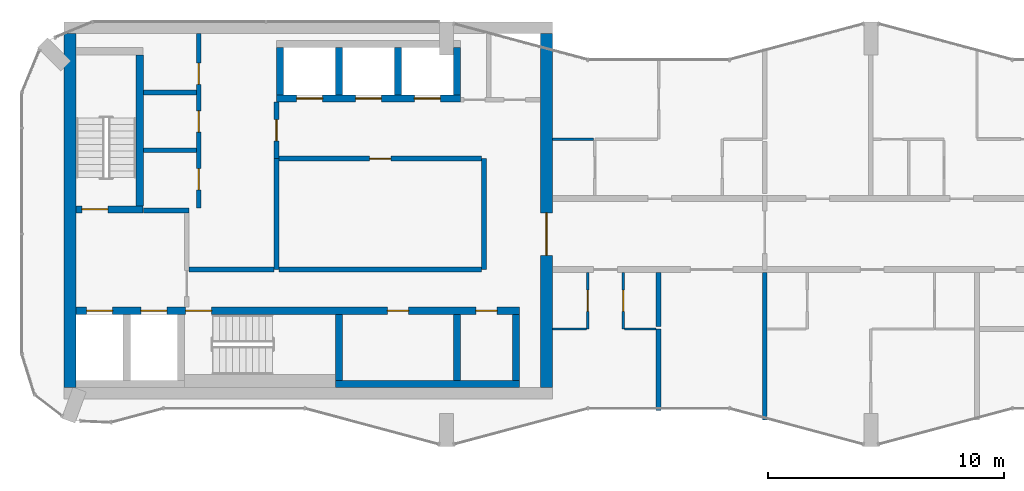
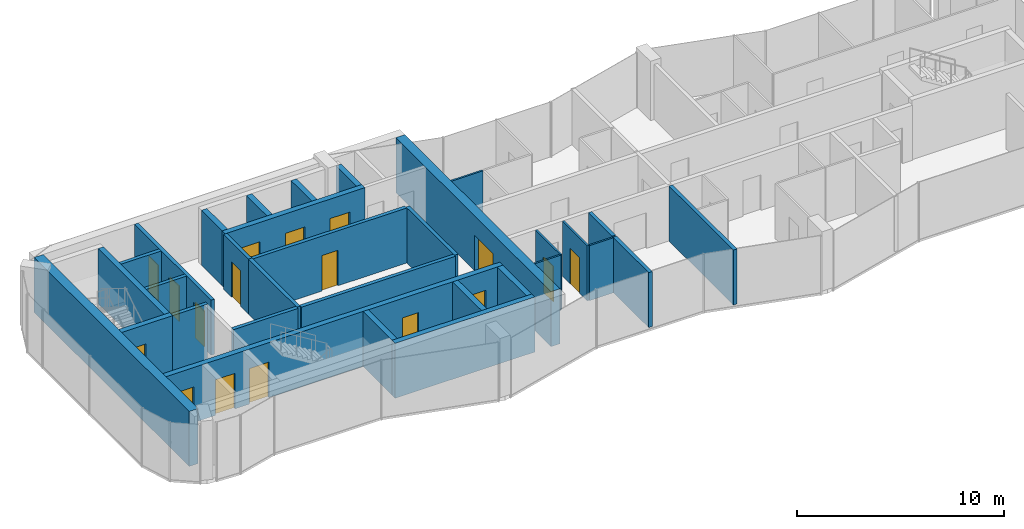
# One storey, part 7 of 10: 32 walls, 17 doors, 17 openings.
"""IFC4 building model written with IfcOpenShell, lengths in metres."""

from ifc_helpers import new_model, si_unit, direction, frame, frame_2d, origin, place, context, subcontext, project, spatial, rectangle, extrude, material, layer, layer_set, type_object, element, fill, save


model = new_model("IFC4")

# Units and contexts
model_context = context("Model", 3, precision=1e-05, world=origin(), true_north=direction((0.0, 1.0)))
body_context = subcontext(model_context, "Body", "Model", "MODEL_VIEW")
ifc_project = project(units=[si_unit("LENGTHUNIT", "METRE"), si_unit("AREAUNIT", "SQUARE_METRE"), si_unit("VOLUMEUNIT", "CUBIC_METRE"), si_unit("PLANEANGLEUNIT", "RADIAN"), si_unit("MASSUNIT", "GRAM", prefix="KILO")], contexts=[model_context])

# Site, building, storey
site_placement = place(None, origin())
site = spatial("IfcSite", under=ifc_project, at=site_placement, CompositionType="ELEMENT")
building_placement = place(site_placement, origin())
building = spatial("IfcBuilding", under=site, at=building_placement, Name="Plateau Cross Towers", CompositionType="ELEMENT")
storey_placement = place(building_placement, frame((0.0, 0.0, 245.89990234375)))
storey = spatial("IfcBuildingStorey", under=building, at=storey_placement, Name="L64", CompositionType="ELEMENT", Elevation=245.89990234375)

# Walls
ifc_material_1 = material(Name="Concrete block, plastered both sides", Category="concrete")
ifc_layer_1 = layer(ifc_material_1, 0.199951171875)
ifc_layer_set_1 = layer_set([ifc_layer_1], Name="Concrete block, plastered both sides")
wall_type_1 = type_object("IfcWallType", Name="Core partition 200", PredefinedType="PARTITIONING", material=ifc_layer_set_1)
wall_1_placement = place(storey_placement, frame((5.14990234375, 10.0, 0.0), z_axis=(0.0, 0.0, 1.0), x_axis=(1.0, 0.0, 0.0)))
element("IfcWall", 1, at=wall_1_placement, inside=storey, type_object=wall_type_1, Name="Core partition", PredefinedType="PARTITIONING", context=body_context, shape_type="SweptSolid", body=[
    extrude(rectangle(XDim=1.9501953125, YDim=0.199951171875, at=frame_2d((0.97509765625, 0.0))), origin(), (0.0, 0.0, 1.0), 3.25),
])
wall_2_placement = place(storey_placement, frame((7.10009765625, 7.5, 0.0), z_axis=(0.0, 0.0, 1.0), x_axis=(1.0, 0.0, 0.0)))
element("IfcWall", 2, at=wall_2_placement, inside=storey, type_object=wall_type_1, Name="Core partition", PredefinedType="PARTITIONING", context=body_context, shape_type="SweptSolid", body=[
    extrude(rectangle(XDim=3.599853515625, YDim=0.199951171875, at=frame_2d((1.7998046875, 0.0))), origin(), (0.0, 0.0, 1.0), 3.25),
])

# Wall, opening, door
wall_3_placement = place(storey_placement, frame((10.800048828125, 12.199951171875, 0.0), z_axis=(0.0, 0.0, 1.0), x_axis=(0.0, 1.0, 0.0)))
wall_3 = element("IfcWall", 3, at=wall_3_placement, inside=storey, type_object=wall_type_1, Name="Core partition", PredefinedType="PARTITIONING", context=body_context, shape_type="SweptSolid", body=[
    extrude(rectangle(XDim=2.400146484375, YDim=0.199951171875, at=frame_2d((1.2001953125, 0.0))), origin(), (0.0, 0.0, 1.0), 3.25),
])
opening_1_placement = place(wall_3_placement, frame((0.75, 0.0, 0.0)))
opening_1 = element("IfcOpeningElement", 4, at=opening_1_placement, cuts=wall_3, Name="Opening RD1", PredefinedType="OPENING", context=body_context, shape_type="SweptSolid", body=[
    extrude(rectangle(XDim=0.89990234375, YDim=2.10009765625, at=frame_2d((0.449951171875, 1.050048828125))), frame((0.0, 0.10986328125, 0.0), z_axis=(0.0, -1.0, 0.0), x_axis=(1.0, 0.0, 0.0)), (0.0, 0.0, 1.0), 0.219970703125),
])
ifc_material_2 = material(Name="Timber, fire-resisting leaf", Category="wood")
door_type_1 = type_object("IfcDoorType", Name="Core service door 900", OperationType="NOTDEFINED", PredefinedType="DOOR", material=ifc_material_2)
door_1_placement = place(opening_1_placement, origin())
door_1 = element("IfcDoor", 5, at=door_1_placement, inside=storey, type_object=door_type_1, Name="Core service door RD1", OperationType="SINGLE_SWING_LEFT", OverallHeight=2.10009765625, OverallWidth=0.89990234375, PredefinedType="DOOR", context=body_context, shape_type="SweptSolid", body=[
    extrude(rectangle(XDim=0.89990234375, YDim=2.10009765625, at=frame_2d((0.449951171875, 1.050048828125))), frame((0.0, 0.02490234375, 0.0), z_axis=(0.0, -1.0, 0.0), x_axis=(1.0, 0.0, 0.0)), (0.0, 0.0, 1.0), 0.050048828125),
])
fill(opening_1, door_1)

# Walls
wall_4_placement = place(storey_placement, frame((10.800048828125, 7.5, 0.0), z_axis=(0.0, 0.0, 1.0), x_axis=(0.0, 1.0, 0.0)))
element("IfcWall", 6, at=wall_4_placement, inside=storey, type_object=wall_type_1, Name="Core partition", PredefinedType="PARTITIONING", context=body_context, shape_type="SweptSolid", body=[
    extrude(rectangle(XDim=4.699951171875, YDim=0.199951171875, at=frame_2d((2.35009765625, 0.0))), origin(), (0.0, 0.0, 1.0), 3.25),
])
wall_5_placement = place(storey_placement, frame((10.89990234375, 7.5, 0.0), z_axis=(0.0, 0.0, 1.0), x_axis=(1.0, 0.0, 0.0)))
element("IfcWall", 7, at=wall_5_placement, inside=storey, type_object=wall_type_1, Name="Core partition", PredefinedType="PARTITIONING", context=body_context, shape_type="SweptSolid", body=[
    extrude(rectangle(XDim=8.60009765625, YDim=0.199951171875, at=frame_2d((4.300048828125, 0.0))), origin(), (0.0, 0.0, 1.0), 3.25),
])
wall_6_placement = place(storey_placement, frame((19.60009765625, 7.5, 0.0), z_axis=(0.0, 0.0, 1.0), x_axis=(0.0, 1.0, 0.0)))
element("IfcWall", 8, at=wall_6_placement, inside=storey, type_object=wall_type_1, Name="Core partition", PredefinedType="PARTITIONING", context=body_context, shape_type="SweptSolid", body=[
    extrude(rectangle(XDim=4.699951171875, YDim=0.199951171875, at=frame_2d((2.35009765625, 0.0))), origin(), (0.0, 0.0, 1.0), 3.25),
])

# Wall, opening, door
wall_7_placement = place(storey_placement, frame((10.89990234375, 12.199951171875, 0.0), z_axis=(0.0, 0.0, 1.0), x_axis=(1.0, 0.0, 0.0)))
wall_7 = element("IfcWall", 9, at=wall_7_placement, inside=storey, type_object=wall_type_1, Name="Core partition", PredefinedType="PARTITIONING", context=body_context, shape_type="SweptSolid", body=[
    extrude(rectangle(XDim=8.60009765625, YDim=0.199951171875, at=frame_2d((4.300048828125, 0.0))), origin(), (0.0, 0.0, 1.0), 3.25),
])
opening_2_placement = place(wall_7_placement, frame((3.85009765625, 0.0, 0.0)))
opening_2 = element("IfcOpeningElement", 10, at=opening_2_placement, cuts=wall_7, Name="Opening RD1", PredefinedType="OPENING", context=body_context, shape_type="SweptSolid", body=[
    extrude(rectangle(XDim=0.89990234375, YDim=2.10009765625, at=frame_2d((0.449951171875, 1.050048828125))), frame((0.0, 0.10986328125, 0.0), z_axis=(0.0, -1.0, 0.0), x_axis=(1.0, 0.0, 0.0)), (0.0, 0.0, 1.0), 0.219970703125),
])
door_2_placement = place(opening_2_placement, origin())
door_2 = element("IfcDoor", 11, at=door_2_placement, inside=storey, type_object=door_type_1, Name="Core service door RD1", OperationType="SINGLE_SWING_LEFT", OverallHeight=2.10009765625, OverallWidth=0.89990234375, PredefinedType="DOOR", context=body_context, shape_type="SweptSolid", body=[
    extrude(rectangle(XDim=0.89990234375, YDim=2.10009765625, at=frame_2d((0.449951171875, 1.050048828125))), frame((0.0, 0.02490234375, 0.0), z_axis=(0.0, -1.0, 0.0), x_axis=(1.0, 0.0, 0.0)), (0.0, 0.0, 1.0), 0.050048828125),
])
fill(opening_2, door_2)

# Wall, openings, doors
wall_8_placement = place(storey_placement, frame((7.5, 10.10009765625, 0.0), z_axis=(0.0, 0.0, 1.0), x_axis=(0.0, 1.0, 0.0)))
wall_8 = element("IfcWall", 12, at=wall_8_placement, inside=storey, type_object=wall_type_1, Name="Core partition", PredefinedType="PARTITIONING", context=body_context, shape_type="SweptSolid", body=[
    extrude(rectangle(XDim=7.39990234375, YDim=0.199951171875, at=frame_2d((3.699951171875, 0.0))), origin(), (0.0, 0.0, 1.0), 3.25),
])
opening_3_placement = place(wall_8_placement, frame((0.77490234375, 0.0, 0.0)))
opening_3 = element("IfcOpeningElement", 13, at=opening_3_placement, cuts=wall_8, Name="Opening RD1", PredefinedType="OPENING", context=body_context, shape_type="SweptSolid", body=[
    extrude(rectangle(XDim=0.89990234375, YDim=2.10009765625, at=frame_2d((0.449951171875, 1.050048828125))), frame((0.0, 0.10986328125, 0.0), z_axis=(0.0, -1.0, 0.0), x_axis=(1.0, 0.0, 0.0)), (0.0, 0.0, 1.0), 0.219970703125),
])
opening_4_placement = place(wall_8_placement, frame((3.22509765625, 0.0, 0.0)))
opening_4 = element("IfcOpeningElement", 14, at=opening_4_placement, cuts=wall_8, Name="Opening RD1", PredefinedType="OPENING", context=body_context, shape_type="SweptSolid", body=[
    extrude(rectangle(XDim=0.89990234375, YDim=2.10009765625, at=frame_2d((0.449951171875, 1.050048828125))), frame((0.0, 0.10986328125, 0.0), z_axis=(0.0, -1.0, 0.0), x_axis=(1.0, 0.0, 0.0)), (0.0, 0.0, 1.0), 0.219970703125),
])
opening_5_placement = place(wall_8_placement, frame((5.25, 0.0, 0.0)))
opening_5 = element("IfcOpeningElement", 15, at=opening_5_placement, cuts=wall_8, Name="Opening RD1", PredefinedType="OPENING", context=body_context, shape_type="SweptSolid", body=[
    extrude(rectangle(XDim=0.89990234375, YDim=2.10009765625, at=frame_2d((0.449951171875, 1.050048828125))), frame((0.0, 0.10986328125, 0.0), z_axis=(0.0, -1.0, 0.0), x_axis=(1.0, 0.0, 0.0)), (0.0, 0.0, 1.0), 0.219970703125),
])
door_3_placement = place(opening_3_placement, origin())
door_3 = element("IfcDoor", 16, at=door_3_placement, inside=storey, type_object=door_type_1, Name="Core service door RD1", OperationType="SINGLE_SWING_RIGHT", OverallHeight=2.10009765625, OverallWidth=0.89990234375, PredefinedType="DOOR", context=body_context, shape_type="SweptSolid", body=[
    extrude(rectangle(XDim=0.89990234375, YDim=2.10009765625, at=frame_2d((0.449951171875, 1.050048828125))), frame((0.0, 0.02490234375, 0.0), z_axis=(0.0, -1.0, 0.0), x_axis=(1.0, 0.0, 0.0)), (0.0, 0.0, 1.0), 0.050048828125),
])
fill(opening_3, door_3)
door_4_placement = place(opening_4_placement, origin())
door_4 = element("IfcDoor", 17, at=door_4_placement, inside=storey, type_object=door_type_1, Name="Core service door RD1", OperationType="SINGLE_SWING_RIGHT", OverallHeight=2.10009765625, OverallWidth=0.89990234375, PredefinedType="DOOR", context=body_context, shape_type="SweptSolid", body=[
    extrude(rectangle(XDim=0.89990234375, YDim=2.10009765625, at=frame_2d((0.449951171875, 1.050048828125))), frame((0.0, 0.02490234375, 0.0), z_axis=(0.0, -1.0, 0.0), x_axis=(1.0, 0.0, 0.0)), (0.0, 0.0, 1.0), 0.050048828125),
])
fill(opening_4, door_4)
door_5_placement = place(opening_5_placement, origin())
door_5 = element("IfcDoor", 18, at=door_5_placement, inside=storey, type_object=door_type_1, Name="Core service door RD1", OperationType="SINGLE_SWING_RIGHT", OverallHeight=2.10009765625, OverallWidth=0.89990234375, PredefinedType="DOOR", context=body_context, shape_type="SweptSolid", body=[
    extrude(rectangle(XDim=0.89990234375, YDim=2.10009765625, at=frame_2d((0.449951171875, 1.050048828125))), frame((0.0, 0.02490234375, 0.0), z_axis=(0.0, -1.0, 0.0), x_axis=(1.0, 0.0, 0.0)), (0.0, 0.0, 1.0), 0.050048828125),
])
fill(opening_5, door_5)

# Walls
for number, where, z_axis, x_axis, name in (
    (19, (5.14990234375, 12.550048828125, 0.0), (0.0, 0.0, 1.0), (1.0, 0.0, 0.0), "Core partition"),
    (20, (5.14990234375, 15.0, 0.0), (0.0, 0.0, 1.0), (1.0, 0.0, 0.0), "Core partition"),
):
    element("IfcWall", number, at=place(storey_placement, frame(where, z_axis=z_axis, x_axis=x_axis)), inside=storey, type_object=wall_type_1, Name=name, PredefinedType="PARTITIONING", context=body_context, shape_type="SweptSolid", body=[
        extrude(rectangle(XDim=2.25, YDim=0.199951171875, at=frame_2d((1.125, 0.0))), origin(), (0.0, 0.0, 1.0), 3.25),
    ])
ifc_material_3 = material(Name="Concrete C60/75", Category="concrete")
ifc_layer_2 = layer(ifc_material_3, 0.300048828125)
ifc_layer_set_2 = layer_set([ifc_layer_2], Name="Concrete C60/75")
wall_type_2 = type_object("IfcWallType", Name="Core shaft wall 300", PredefinedType="SHEAR", material=ifc_layer_set_2)
wall_9_placement = place(storey_placement, frame((13.300048828125, 2.64990234375, 0.0), z_axis=(0.0, 0.0, 1.0), x_axis=(1.0, 0.0, 0.0)))
element("IfcWall", 21, at=wall_9_placement, inside=storey, type_object=wall_type_2, Name="A-sb-back3@L64", PredefinedType="SHEAR", context=body_context, shape_type="SweptSolid", body=[
    extrude(rectangle(XDim=7.800048828125, YDim=0.300048828125, at=frame_2d((3.89990234375, 0.0))), origin(), (0.0, 0.0, 1.0), 3.25),
])
for number, where, z_axis, x_axis, name in (
    (22, (13.449951171875, 2.800048828125, 0.0), (0.0, 0.0, 1.0), (0.0, 1.0, 0.0), "A-sb-v3@L64"),
    (23, (18.449951171875, 2.800048828125, 0.0), (0.0, 0.0, 1.0), (0.0, 1.0, 0.0), "A-sb-v5@L64"),
    (24, (20.949951171875, 2.800048828125, 0.0), (0.0, 0.0, 1.0), (0.0, 1.0, 0.0), "A-sb-v6@L64"),
):
    element("IfcWall", number, at=place(storey_placement, frame(where, z_axis=z_axis, x_axis=x_axis)), inside=storey, type_object=wall_type_2, Name=name, PredefinedType="SHEAR", context=body_context, shape_type="SweptSolid", body=[
        extrude(rectangle(XDim=2.800048828125, YDim=0.300048828125, at=frame_2d((1.39990234375, 0.0))), origin(), (0.0, 0.0, 1.0), 3.25),
    ])

# Wall, openings, doors
wall_10_placement = place(storey_placement, frame((2.300048828125, 5.75, 0.0), z_axis=(0.0, 0.0, 1.0), x_axis=(1.0, 0.0, 0.0)))
wall_10 = element("IfcWall", 25, at=wall_10_placement, inside=storey, type_object=wall_type_2, Name="A-sb-front@L64", PredefinedType="SHEAR", context=body_context, shape_type="SweptSolid", body=[
    extrude(rectangle(XDim=18.800048828125, YDim=0.300048828125, at=frame_2d((9.39990234375, 0.0))), origin(), (0.0, 0.0, 1.0), 3.25),
])
opening_6_placement = place(wall_10_placement, frame((4.64990234375, 0.0, 0.0)))
opening_6 = element("IfcOpeningElement", 26, at=opening_6_placement, cuts=wall_10, Name="Opening SD", PredefinedType="OPENING", context=body_context, shape_type="SweptSolid", body=[
    extrude(rectangle(XDim=1.10009765625, YDim=2.10009765625, at=frame_2d((0.550048828125, 1.050048828125))), frame((0.0, 0.159912109375, 0.0), z_axis=(0.0, -1.0, 0.0), x_axis=(1.0, 0.0, 0.0)), (0.0, 0.0, 1.0), 0.320068359375),
])
opening_7_placement = place(wall_10_placement, frame((0.449951171875, 0.0, 0.0)))
opening_7 = element("IfcOpeningElement", 27, at=opening_7_placement, cuts=wall_10, Name="Opening LD", PredefinedType="OPENING", context=body_context, shape_type="SweptSolid", body=[
    extrude(rectangle(XDim=1.10009765625, YDim=2.10009765625, at=frame_2d((0.550048828125, 1.050048828125))), frame((0.0, 0.159912109375, 0.0), z_axis=(0.0, -1.0, 0.0), x_axis=(1.0, 0.0, 0.0)), (0.0, 0.0, 1.0), 0.320068359375),
])
opening_8_placement = place(wall_10_placement, frame((2.75, 0.0, 0.0)))
opening_8 = element("IfcOpeningElement", 28, at=opening_8_placement, cuts=wall_10, Name="Opening LD", PredefinedType="OPENING", context=body_context, shape_type="SweptSolid", body=[
    extrude(rectangle(XDim=1.10009765625, YDim=2.10009765625, at=frame_2d((0.550048828125, 1.050048828125))), frame((0.0, 0.159912109375, 0.0), z_axis=(0.0, -1.0, 0.0), x_axis=(1.0, 0.0, 0.0)), (0.0, 0.0, 1.0), 0.320068359375),
])
opening_9_placement = place(wall_10_placement, frame((13.199951171875, 0.0, 0.0)))
opening_9 = element("IfcOpeningElement", 29, at=opening_9_placement, cuts=wall_10, Name="Opening RD2", PredefinedType="OPENING", context=body_context, shape_type="SweptSolid", body=[
    extrude(rectangle(XDim=0.89990234375, YDim=2.10009765625, at=frame_2d((0.449951171875, 1.050048828125))), frame((0.0, 0.159912109375, 0.0), z_axis=(0.0, -1.0, 0.0), x_axis=(1.0, 0.0, 0.0)), (0.0, 0.0, 1.0), 0.320068359375),
])
opening_10_placement = place(wall_10_placement, frame((16.949951171875, 0.0, 0.0)))
opening_10 = element("IfcOpeningElement", 30, at=opening_10_placement, cuts=wall_10, Name="Opening RD2", PredefinedType="OPENING", context=body_context, shape_type="SweptSolid", body=[
    extrude(rectangle(XDim=0.89990234375, YDim=2.10009765625, at=frame_2d((0.449951171875, 1.050048828125))), frame((0.0, 0.159912109375, 0.0), z_axis=(0.0, -1.0, 0.0), x_axis=(1.0, 0.0, 0.0)), (0.0, 0.0, 1.0), 0.320068359375),
])
ifc_material_4 = material(Name="Steel, fire-resisting leaf", Category="steel")
door_type_2 = type_object("IfcDoorType", Name="Core riser door 900", OperationType="NOTDEFINED", PredefinedType="DOOR", material=ifc_material_4)
door_6_placement = place(opening_9_placement, origin())
door_6 = element("IfcDoor", 31, at=door_6_placement, inside=storey, type_object=door_type_2, Name="Core riser door RD2", OperationType="SINGLE_SWING_LEFT", OverallHeight=2.10009765625, OverallWidth=0.89990234375, PredefinedType="DOOR", context=body_context, shape_type="SweptSolid", body=[
    extrude(rectangle(XDim=0.89990234375, YDim=2.10009765625, at=frame_2d((0.449951171875, 1.050048828125))), frame((0.0, 0.02490234375, 0.0), z_axis=(0.0, -1.0, 0.0), x_axis=(1.0, 0.0, 0.0)), (0.0, 0.0, 1.0), 0.050048828125),
])
fill(opening_9, door_6)
door_7_placement = place(opening_10_placement, origin())
door_7 = element("IfcDoor", 32, at=door_7_placement, inside=storey, type_object=door_type_2, Name="Core riser door RD2", OperationType="SINGLE_SWING_LEFT", OverallHeight=2.10009765625, OverallWidth=0.89990234375, PredefinedType="DOOR", context=body_context, shape_type="SweptSolid", body=[
    extrude(rectangle(XDim=0.89990234375, YDim=2.10009765625, at=frame_2d((0.449951171875, 1.050048828125))), frame((0.0, 0.02490234375, 0.0), z_axis=(0.0, -1.0, 0.0), x_axis=(1.0, 0.0, 0.0)), (0.0, 0.0, 1.0), 0.050048828125),
])
fill(opening_10, door_7)
ifc_material_5 = material(Name="Stainless steel, fire-resisting sliding leaves", Category="steel")
door_type_3 = type_object("IfcDoorType", Name="Lift landing door 1100", OperationType="NOTDEFINED", PredefinedType="DOOR", material=ifc_material_5)
door_8_placement = place(opening_7_placement, origin())
door_8 = element("IfcDoor", 33, at=door_8_placement, inside=storey, type_object=door_type_3, Name="Lift landing door LD", OperationType="DOUBLE_DOOR_SLIDING", OverallHeight=2.10009765625, OverallWidth=1.10009765625, PredefinedType="DOOR", context=body_context, shape_type="SweptSolid", body=[
    extrude(rectangle(XDim=1.10009765625, YDim=2.10009765625, at=frame_2d((0.550048828125, 1.050048828125))), frame((0.0, 0.02490234375, 0.0), z_axis=(0.0, -1.0, 0.0), x_axis=(1.0, 0.0, 0.0)), (0.0, 0.0, 1.0), 0.050048828125),
])
fill(opening_7, door_8)
door_9_placement = place(opening_8_placement, origin())
door_9 = element("IfcDoor", 34, at=door_9_placement, inside=storey, type_object=door_type_3, Name="Lift landing door LD", OperationType="DOUBLE_DOOR_SLIDING", OverallHeight=2.10009765625, OverallWidth=1.10009765625, PredefinedType="DOOR", context=body_context, shape_type="SweptSolid", body=[
    extrude(rectangle(XDim=1.10009765625, YDim=2.10009765625, at=frame_2d((0.550048828125, 1.050048828125))), frame((0.0, 0.02490234375, 0.0), z_axis=(0.0, -1.0, 0.0), x_axis=(1.0, 0.0, 0.0)), (0.0, 0.0, 1.0), 0.050048828125),
])
fill(opening_8, door_9)
door_type_4 = type_object("IfcDoorType", Name="Stair door 1100", OperationType="NOTDEFINED", PredefinedType="DOOR", material=ifc_material_4)
door_10_placement = place(opening_6_placement, origin())
door_10 = element("IfcDoor", 35, at=door_10_placement, inside=storey, type_object=door_type_4, Name="Stair door SD", OperationType="SINGLE_SWING_LEFT", OverallHeight=2.10009765625, OverallWidth=1.10009765625, PredefinedType="DOOR", context=body_context, shape_type="SweptSolid", body=[
    extrude(rectangle(XDim=1.10009765625, YDim=2.10009765625, at=frame_2d((0.550048828125, 1.050048828125))), frame((0.0, 0.02490234375, 0.0), z_axis=(0.0, -1.0, 0.0), x_axis=(1.0, 0.0, 0.0)), (0.0, 0.0, 1.0), 0.050048828125),
])
fill(opening_6, door_10)

# Wall, opening, door
wall_11_placement = place(storey_placement, frame((2.300048828125, 10.050048828125, 0.0), z_axis=(0.0, 0.0, 1.0), x_axis=(1.0, 0.0, 0.0)))
wall_11 = element("IfcWall", 36, at=wall_11_placement, inside=storey, type_object=wall_type_2, Name="A-st1-S@L64", PredefinedType="SHEAR", context=body_context, shape_type="SweptSolid", body=[
    extrude(rectangle(XDim=2.849853515625, YDim=0.300048828125, at=frame_2d((1.4248046875, 0.0))), origin(), (0.0, 0.0, 1.0), 3.25),
])
opening_11_placement = place(wall_11_placement, frame((0.25, 0.0, 0.0)))
opening_11 = element("IfcOpeningElement", 37, at=opening_11_placement, cuts=wall_11, Name="Opening SD", PredefinedType="OPENING", context=body_context, shape_type="SweptSolid", body=[
    extrude(rectangle(XDim=1.10009765625, YDim=2.10009765625, at=frame_2d((0.550048828125, 1.050048828125))), frame((0.0, 0.159912109375, 0.0), z_axis=(0.0, -1.0, 0.0), x_axis=(1.0, 0.0, 0.0)), (0.0, 0.0, 1.0), 0.320068359375),
])
door_11_placement = place(opening_11_placement, origin())
door_11 = element("IfcDoor", 38, at=door_11_placement, inside=storey, type_object=door_type_4, Name="Stair door SD", OperationType="SINGLE_SWING_RIGHT", OverallHeight=2.10009765625, OverallWidth=1.10009765625, PredefinedType="DOOR", context=body_context, shape_type="SweptSolid", body=[
    extrude(rectangle(XDim=1.10009765625, YDim=2.10009765625, at=frame_2d((0.550048828125, 1.050048828125))), frame((0.0, 0.02490234375, 0.0), z_axis=(0.0, -1.0, 0.0), x_axis=(1.0, 0.0, 0.0)), (0.0, 0.0, 1.0), 0.050048828125),
])
fill(opening_11, door_11)

# Wall
wall_12_placement = place(storey_placement, frame((5.0, 10.199951171875, 0.0), z_axis=(0.0, 0.0, 1.0), x_axis=(0.0, 1.0, 0.0)))
element("IfcWall", 39, at=wall_12_placement, inside=storey, type_object=wall_type_2, Name="A-st1-E@L64", PredefinedType="SHEAR", context=body_context, shape_type="SweptSolid", body=[
    extrude(rectangle(XDim=6.400146484375, YDim=0.300048828125, at=frame_2d((3.2001953125, 0.0))), origin(), (0.0, 0.0, 1.0), 3.25),
])

# Wall, openings, doors
wall_13_placement = place(storey_placement, frame((10.800048828125, 14.75, 0.0), z_axis=(0.0, 0.0, 1.0), x_axis=(1.0, 0.0, 0.0)))
wall_13 = element("IfcWall", 40, at=wall_13_placement, inside=storey, type_object=wall_type_2, Name="A-nb-front@L64", PredefinedType="SHEAR", context=body_context, shape_type="SweptSolid", body=[
    extrude(rectangle(XDim=7.800048828125, YDim=0.300048828125, at=frame_2d((3.89990234375, 0.0))), origin(), (0.0, 0.0, 1.0), 3.25),
])
opening_12_placement = place(wall_13_placement, frame((0.85009765625, 0.0, 0.0)))
opening_12 = element("IfcOpeningElement", 41, at=opening_12_placement, cuts=wall_13, Name="Opening LD", PredefinedType="OPENING", context=body_context, shape_type="SweptSolid", body=[
    extrude(rectangle(XDim=1.10009765625, YDim=2.10009765625, at=frame_2d((0.550048828125, 1.050048828125))), frame((0.0, 0.159912109375, 0.0), z_axis=(0.0, -1.0, 0.0), x_axis=(1.0, 0.0, 0.0)), (0.0, 0.0, 1.0), 0.320068359375),
])
opening_13_placement = place(wall_13_placement, frame((3.35009765625, 0.0, 0.0)))
opening_13 = element("IfcOpeningElement", 42, at=opening_13_placement, cuts=wall_13, Name="Opening LD", PredefinedType="OPENING", context=body_context, shape_type="SweptSolid", body=[
    extrude(rectangle(XDim=1.10009765625, YDim=2.10009765625, at=frame_2d((0.550048828125, 1.050048828125))), frame((0.0, 0.159912109375, 0.0), z_axis=(0.0, -1.0, 0.0), x_axis=(1.0, 0.0, 0.0)), (0.0, 0.0, 1.0), 0.320068359375),
])
opening_14_placement = place(wall_13_placement, frame((5.85009765625, 0.0, 0.0)))
opening_14 = element("IfcOpeningElement", 43, at=opening_14_placement, cuts=wall_13, Name="Opening LD", PredefinedType="OPENING", context=body_context, shape_type="SweptSolid", body=[
    extrude(rectangle(XDim=1.10009765625, YDim=2.10009765625, at=frame_2d((0.550048828125, 1.050048828125))), frame((0.0, 0.159912109375, 0.0), z_axis=(0.0, -1.0, 0.0), x_axis=(1.0, 0.0, 0.0)), (0.0, 0.0, 1.0), 0.320068359375),
])
door_12_placement = place(opening_12_placement, origin())
door_12 = element("IfcDoor", 44, at=door_12_placement, inside=storey, type_object=door_type_3, Name="Lift landing door LD", OperationType="DOUBLE_DOOR_SLIDING", OverallHeight=2.10009765625, OverallWidth=1.10009765625, PredefinedType="DOOR", context=body_context, shape_type="SweptSolid", body=[
    extrude(rectangle(XDim=1.10009765625, YDim=2.10009765625, at=frame_2d((0.550048828125, 1.050048828125))), frame((0.0, 0.02490234375, 0.0), z_axis=(0.0, -1.0, 0.0), x_axis=(1.0, 0.0, 0.0)), (0.0, 0.0, 1.0), 0.050048828125),
])
fill(opening_12, door_12)
door_13_placement = place(opening_13_placement, origin())
door_13 = element("IfcDoor", 45, at=door_13_placement, inside=storey, type_object=door_type_3, Name="Lift landing door LD", OperationType="DOUBLE_DOOR_SLIDING", OverallHeight=2.10009765625, OverallWidth=1.10009765625, PredefinedType="DOOR", context=body_context, shape_type="SweptSolid", body=[
    extrude(rectangle(XDim=1.10009765625, YDim=2.10009765625, at=frame_2d((0.550048828125, 1.050048828125))), frame((0.0, 0.02490234375, 0.0), z_axis=(0.0, -1.0, 0.0), x_axis=(1.0, 0.0, 0.0)), (0.0, 0.0, 1.0), 0.050048828125),
])
fill(opening_13, door_13)
door_14_placement = place(opening_14_placement, origin())
door_14 = element("IfcDoor", 46, at=door_14_placement, inside=storey, type_object=door_type_3, Name="Lift landing door LD", OperationType="DOUBLE_DOOR_SLIDING", OverallHeight=2.10009765625, OverallWidth=1.10009765625, PredefinedType="DOOR", context=body_context, shape_type="SweptSolid", body=[
    extrude(rectangle(XDim=1.10009765625, YDim=2.10009765625, at=frame_2d((0.550048828125, 1.050048828125))), frame((0.0, 0.02490234375, 0.0), z_axis=(0.0, -1.0, 0.0), x_axis=(1.0, 0.0, 0.0)), (0.0, 0.0, 1.0), 0.050048828125),
])
fill(opening_14, door_14)

# Walls
for number, where, z_axis, x_axis, name in (
    (47, (10.949951171875, 14.89990234375, 0.0), (0.0, 0.0, 1.0), (0.0, 1.0, 0.0), "A-nb-v1@L64"),
    (48, (13.449951171875, 14.89990234375, 0.0), (0.0, 0.0, 1.0), (0.0, 1.0, 0.0), "A-nb-v2@L64"),
    (49, (15.949951171875, 14.89990234375, 0.0), (0.0, 0.0, 1.0), (0.0, 1.0, 0.0), "A-nb-v3@L64"),
    (50, (18.449951171875, 14.89990234375, 0.0), (0.0, 0.0, 1.0), (0.0, 1.0, 0.0), "A-nb-v4@L64"),
):
    element("IfcWall", number, at=place(storey_placement, frame(where, z_axis=z_axis, x_axis=x_axis)), inside=storey, type_object=wall_type_2, Name=name, PredefinedType="SHEAR", context=body_context, shape_type="SweptSolid", body=[
        extrude(rectangle(XDim=2.0, YDim=0.300048828125, at=frame_2d((1.0, 0.0))), origin(), (0.0, 0.0, 1.0), 3.25),
    ])
ifc_layer_3 = layer(ifc_material_3, 0.5)
ifc_layer_set_3 = layer_set([ifc_layer_3], Name="Concrete C60/75")
wall_type_3 = type_object("IfcWallType", Name="Core shell wall 500", PredefinedType="SHEAR", material=ifc_layer_set_3)
wall_14_placement = place(storey_placement, frame((2.050048828125, 2.5, 0.0), z_axis=(0.0, 0.0, 1.0), x_axis=(0.0, 1.0, 0.0)))
element("IfcWall", 51, at=wall_14_placement, inside=storey, type_object=wall_type_3, Name="A-core-W@L64", PredefinedType="SHEAR", context=body_context, shape_type="SweptSolid", body=[
    extrude(rectangle(XDim=15.0, YDim=0.5, at=frame_2d((7.5, 0.0))), origin(), (0.0, 0.0, 1.0), 3.25),
])

# Wall, opening, door
wall_15_placement = place(storey_placement, frame((22.25, 2.5, 0.0), z_axis=(0.0, 0.0, 1.0), x_axis=(0.0, 1.0, 0.0)))
wall_15 = element("IfcWall", 52, at=wall_15_placement, inside=storey, type_object=wall_type_3, Name="A-core-E@L64", PredefinedType="SHEAR", context=body_context, shape_type="SweptSolid", body=[
    extrude(rectangle(XDim=15.0, YDim=0.5, at=frame_2d((7.5, 0.0))), origin(), (0.0, 0.0, 1.0), 3.25),
])
opening_15_placement = place(wall_15_placement, frame((5.60009765625, 0.0, 0.0)))
opening_15 = element("IfcOpeningElement", 53, at=opening_15_placement, cuts=wall_15, Name="Opening CD", PredefinedType="OPENING", context=body_context, shape_type="SweptSolid", body=[
    extrude(rectangle(XDim=1.800048828125, YDim=2.10009765625, at=frame_2d((0.89990234375, 1.050048828125))), frame((0.0, 0.260009765625, 0.0), z_axis=(0.0, -1.0, 0.0), x_axis=(1.0, 0.0, 0.0)), (0.0, 0.0, 1.0), 0.52001953125),
])
ifc_material_6 = material(Name="Steel, fire-resisting leaves", Category="steel")
door_type_5 = type_object("IfcDoorType", Name="Corridor door pair 1800", OperationType="NOTDEFINED", PredefinedType="DOOR", material=ifc_material_6)
door_15_placement = place(opening_15_placement, origin())
door_15 = element("IfcDoor", 54, at=door_15_placement, inside=storey, type_object=door_type_5, Name="Corridor door pair CD", OperationType="DOUBLE_DOOR_SINGLE_SWING", OverallHeight=2.10009765625, OverallWidth=1.800048828125, PredefinedType="DOOR", context=body_context, shape_type="SweptSolid", body=[
    extrude(rectangle(XDim=1.800048828125, YDim=2.10009765625, at=frame_2d((0.89990234375, 1.050048828125))), frame((0.0, 0.02490234375, 0.0), z_axis=(0.0, -1.0, 0.0), x_axis=(1.0, 0.0, 0.0)), (0.0, 0.0, 1.0), 0.050048828125),
])
fill(opening_15, door_15)

# Walls
ifc_material_7 = material(Name="Gypsum board on steel studs", Category="steel")
ifc_layer_4 = layer(ifc_material_7, 0.10009765625)
ifc_layer_set_4 = layer_set([ifc_layer_4], Name="Gypsum board on steel studs")
wall_type_4 = type_object("IfcWallType", Name="Flat partition 100", PredefinedType="PARTITIONING", material=ifc_layer_set_4)
wall_16_placement = place(storey_placement, frame((22.5, 4.97509765625, 0.0), z_axis=(0.0, 0.0, 1.0), x_axis=(1.0, 0.0, 0.0)))
element("IfcWall", 55, at=wall_16_placement, inside=storey, type_object=wall_type_4, Name="Partition wall", PredefinedType="PARTITIONING", context=body_context, shape_type="SweptSolid", body=[
    extrude(rectangle(XDim=1.449951171875, YDim=0.10009765625, at=frame_2d((0.72509765625, 0.0))), origin(), (0.0, 0.0, 1.0), 3.25),
])
wall_17_placement = place(storey_placement, frame((25.550048828125, 4.97509765625, 0.0), z_axis=(0.0, 0.0, 1.0), x_axis=(1.0, 0.0, 0.0)))
element("IfcWall", 56, at=wall_17_placement, inside=storey, type_object=wall_type_4, Name="Partition wall", PredefinedType="PARTITIONING", context=body_context, shape_type="SweptSolid", body=[
    extrude(rectangle(XDim=1.349853515625, YDim=0.10009765625, at=frame_2d((0.6748046875, 0.0))), origin(), (0.0, 0.0, 1.0), 3.25),
])
wall_18_placement = place(storey_placement, frame((24.25, 13.02490234375, 0.0), z_axis=(0.0, 0.0, 1.0), x_axis=(-1.0, 0.0, 0.0)))
element("IfcWall", 57, at=wall_18_placement, inside=storey, type_object=wall_type_4, Name="Partition wall", PredefinedType="PARTITIONING", context=body_context, shape_type="SweptSolid", body=[
    extrude(rectangle(XDim=1.75, YDim=0.10009765625, at=frame_2d((0.875, 0.0))), origin(), (0.0, 0.0, 1.0), 3.25),
])

# Wall, opening, door
wall_19_placement = place(storey_placement, frame((24.0, 4.97509765625, 0.0), z_axis=(0.0, 0.0, 1.0), x_axis=(0.0, 1.0, 0.0)))
wall_19 = element("IfcWall", 58, at=wall_19_placement, inside=storey, type_object=wall_type_4, Name="Partition wall", PredefinedType="PARTITIONING", context=body_context, shape_type="SweptSolid", body=[
    extrude(rectangle(XDim=2.39990234375, YDim=0.10009765625, at=frame_2d((1.199951171875, 0.0))), origin(), (0.0, 0.0, 1.0), 3.25),
])
opening_16_placement = place(wall_19_placement, frame((0.75, 0.0, 0.0)))
opening_16 = element("IfcOpeningElement", 59, at=opening_16_placement, cuts=wall_19, Name="Opening 64-11", PredefinedType="OPENING", context=body_context, shape_type="SweptSolid", body=[
    extrude(rectangle(XDim=0.89990234375, YDim=2.10009765625, at=frame_2d((0.449951171875, 1.050048828125))), frame((0.0, 0.06005859375, 0.0), z_axis=(0.0, -1.0, 0.0), x_axis=(1.0, 0.0, 0.0)), (0.0, 0.0, 1.0), 0.1201171875),
])
ifc_material_8 = material(Name="Timber leaf", Category="wood")
door_type_6 = type_object("IfcDoorType", Name="Flat room door 900", OperationType="NOTDEFINED", PredefinedType="DOOR", material=ifc_material_8)
door_16_placement = place(opening_16_placement, origin())
door_16 = element("IfcDoor", 60, at=door_16_placement, inside=storey, type_object=door_type_6, Name="Door 64-11", OperationType="SINGLE_SWING_LEFT", OverallHeight=2.10009765625, OverallWidth=0.89990234375, PredefinedType="DOOR", context=body_context, shape_type="SweptSolid", body=[
    extrude(rectangle(XDim=0.89990234375, YDim=2.10009765625, at=frame_2d((0.449951171875, 1.050048828125))), frame((0.0, 0.02490234375, 0.0), z_axis=(0.0, -1.0, 0.0), x_axis=(1.0, 0.0, 0.0)), (0.0, 0.0, 1.0), 0.050048828125),
])
fill(opening_16, door_16)

wall_20_placement = place(storey_placement, frame((25.5, 7.375, 0.0), z_axis=(0.0, 0.0, 1.0), x_axis=(0.0, -1.0, 0.0)))
wall_20 = element("IfcWall", 61, at=wall_20_placement, inside=storey, type_object=wall_type_4, Name="Partition wall", PredefinedType="PARTITIONING", context=body_context, shape_type="SweptSolid", body=[
    extrude(rectangle(XDim=2.39990234375, YDim=0.10009765625, at=frame_2d((1.199951171875, 0.0))), origin(), (0.0, 0.0, 1.0), 3.25),
])
opening_17_placement = place(wall_20_placement, frame((0.75, 0.0, 0.0)))
opening_17 = element("IfcOpeningElement", 62, at=opening_17_placement, cuts=wall_20, Name="Opening 64-12", PredefinedType="OPENING", context=body_context, shape_type="SweptSolid", body=[
    extrude(rectangle(XDim=0.89990234375, YDim=2.10009765625, at=frame_2d((0.449951171875, 1.050048828125))), frame((0.0, 0.06005859375, 0.0), z_axis=(0.0, -1.0, 0.0), x_axis=(1.0, 0.0, 0.0)), (0.0, 0.0, 1.0), 0.1201171875),
])
door_17_placement = place(opening_17_placement, origin())
door_17 = element("IfcDoor", 63, at=door_17_placement, inside=storey, type_object=door_type_6, Name="Door 64-12", OperationType="SINGLE_SWING_LEFT", OverallHeight=2.10009765625, OverallWidth=0.89990234375, PredefinedType="DOOR", context=body_context, shape_type="SweptSolid", body=[
    extrude(rectangle(XDim=0.89990234375, YDim=2.10009765625, at=frame_2d((0.449951171875, 1.050048828125))), frame((0.0, 0.02490234375, 0.0), z_axis=(0.0, -1.0, 0.0), x_axis=(1.0, 0.0, 0.0)), (0.0, 0.0, 1.0), 0.050048828125),
])
fill(opening_17, door_17)

# Walls
ifc_material_9 = material(Name="Gypsum board on steel studs, two layers each side", Category="steel")
ifc_layer_5 = layer(ifc_material_9, 0.199951171875)
ifc_layer_set_5 = layer_set([ifc_layer_5], Name="Gypsum board on steel studs, two layers each side")
wall_type_5 = type_object("IfcWallType", Name="Flat party wall 200", PredefinedType="PARTITIONING", material=ifc_layer_set_5)
wall_21_placement = place(storey_placement, frame((27.0, 4.97509765625, 0.0), z_axis=(0.0, 0.0, 1.0), x_axis=(0.0, -1.0, 0.0)))
element("IfcWall", 64, at=wall_21_placement, inside=storey, type_object=wall_type_5, Name="Party wall", PredefinedType="PARTITIONING", context=body_context, shape_type="SweptSolid", body=[
    extrude(rectangle(XDim=3.4482421875, YDim=0.199951171875, at=frame_2d((1.72412109375, 0.0))), origin(), (0.0, 0.0, 1.0), 3.25),
])
wall_22_placement = place(storey_placement, frame((27.0, 5.074951171875, 0.0), z_axis=(0.0, 0.0, 1.0), x_axis=(0.0, 1.0, 0.0)))
element("IfcWall", 65, at=wall_22_placement, inside=storey, type_object=wall_type_5, Name="Party wall", PredefinedType="PARTITIONING", context=body_context, shape_type="SweptSolid", body=[
    extrude(rectangle(XDim=2.300048828125, YDim=0.199951171875, at=frame_2d((1.14990234375, 0.0))), origin(), (0.0, 0.0, 1.0), 3.25),
])
wall_23_placement = place(storey_placement, frame((31.5, 1.122314453125, 0.0), z_axis=(0.0, 0.0, 1.0), x_axis=(0.0, 1.0, 0.0)))
element("IfcWall", 66, at=wall_23_placement, inside=storey, type_object=wall_type_5, Name="Party wall", PredefinedType="PARTITIONING", context=body_context, shape_type="SweptSolid", body=[
    extrude(rectangle(XDim=6.252685546875, YDim=0.199951171875, at=frame_2d((3.12646484375, 0.0))), origin(), (0.0, 0.0, 1.0), 3.25),
])

save(model, "model.ifc")
